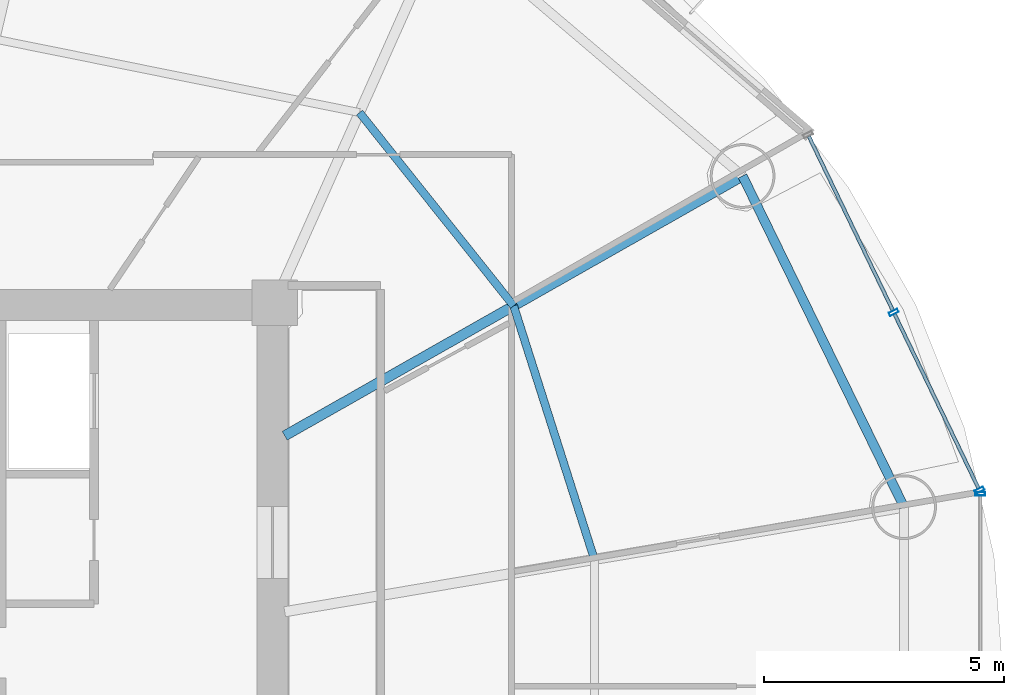
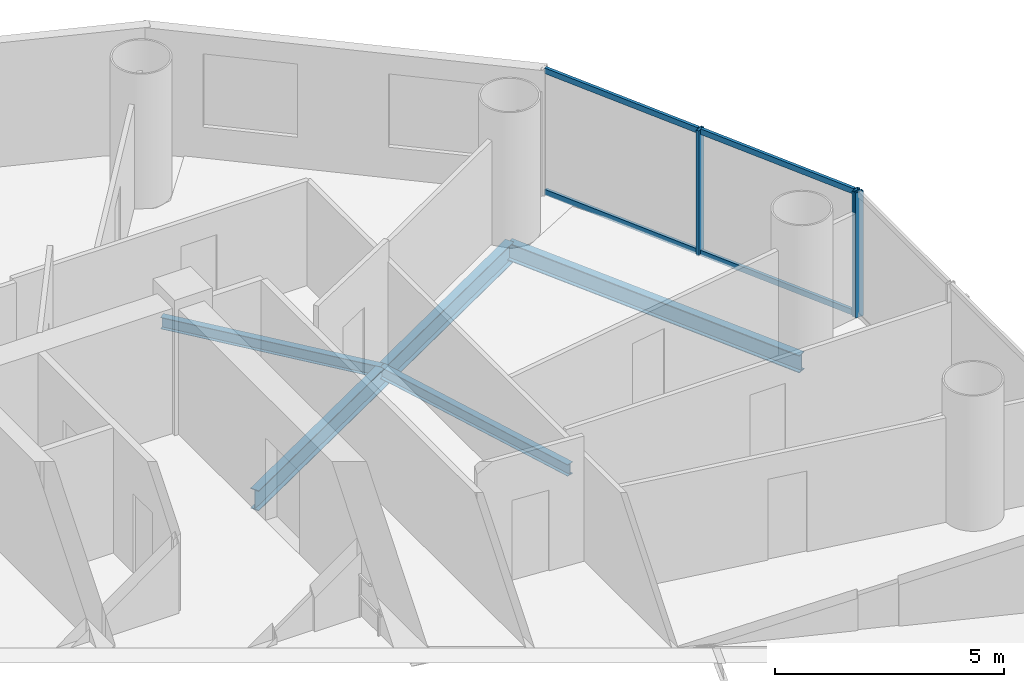
# One storey, part 12 of 26: 7 members, 4 beams, 2 elements without a shape of their own.
"""IFC4 building model written with IfcOpenShell, lengths in metres."""

from ifc_helpers import new_model, si_unit, direction, frame, origin, origin_2d, place, context, subcontext, project, spatial, hollow_rectangle, i_section, extrude, source, transform, mapped, material, material_profile, profile_set, type_object, element, aggregate, save


model = new_model("IFC4")

# Units and contexts
model_context = context("Model", 3, precision=1e-05, world=origin(), true_north=direction((-0.2419218956, 0.970295726276)))
body_context = subcontext(model_context, "Body", "Model", "MODEL_VIEW")
ifc_project = project(units=[si_unit("LENGTHUNIT", "METRE"), si_unit("AREAUNIT", "SQUARE_METRE"), si_unit("VOLUMEUNIT", "CUBIC_METRE"), si_unit("PLANEANGLEUNIT", "RADIAN"), si_unit("MASSUNIT", "GRAM", prefix="KILO")], contexts=[model_context])

# Site, building, storey
site_placement = place(None, origin())
site = spatial("IfcSite", under=ifc_project, at=site_placement, CompositionType="ELEMENT")
building_placement = place(site_placement, origin())
building = spatial("IfcBuilding", under=site, at=building_placement, Name="Cobrevalo Terracotta Tower", CompositionType="ELEMENT")
storey_placement = place(building_placement, frame((0.0, 0.0, 171.39990234375)))
storey = spatial("IfcBuildingStorey", under=building, at=storey_placement, Name="L45", CompositionType="ELEMENT", Elevation=171.39990234375)

# Beams
ifc_material_1 = material(Name="Steel S355", Category="steel")
ifc_material_profile_1 = material_profile(ifc_material_1, i_section(OverallWidth=0.2109375, OverallDepth=0.5390625, WebThickness=0.01171875, FlangeThickness=0.018798828125, at=origin_2d()), Name="W 530x109")
ifc_profile_set_1 = profile_set([ifc_material_profile_1], Name="Steel S355")
beam_type_1 = type_object("IfcBeamType", Name="Structural Beam W 530x109 (Steel S355)", PredefinedType="BEAM", material=ifc_profile_set_1)
beam_1_placement = place(storey_placement, frame((56.749755859375, 37.439208984375, -0.539306640625), z_axis=(-0.869734177783, -0.493520475762, 0.0), x_axis=(0.493520475762, -0.869734177783, 0.0)))
element("IfcBeam", 1, at=beam_1_placement, inside=storey, type_object=beam_type_1, Name="L45 radial floor girder 02", PredefinedType="BEAM", context=body_context, shape_type="SweptSolid", body=[
    extrude(i_section(OverallWidth=0.2109375, OverallDepth=0.5390625, WebThickness=0.01171875, FlangeThickness=0.018798828125, at=origin_2d()), origin(), (0.0, 0.0, 1.0), 10.974365234375),
])
ifc_material_profile_2 = material_profile(ifc_material_1, i_section(OverallWidth=0.1650390625, OverallDepth=0.31005859375, WebThickness=0.005859375, FlangeThickness=0.009765625, at=origin_2d()), Name="W 310x38.7")
ifc_profile_set_2 = profile_set([ifc_material_profile_2], Name="Steel S355")
beam_type_2 = type_object("IfcBeamType", Name="Structural Joist W 310x38.7 (Steel S355)", PredefinedType="JOIST", material=ifc_profile_set_2)
beam_2_placement = place(storey_placement, frame((53.660888671875, 29.445556640625, -0.4248046875), z_axis=(-0.303497928386, 0.952832098255, 0.0), x_axis=(-0.952832098255, -0.303497928386, 0.0)))
element("IfcBeam", 2, at=beam_2_placement, inside=storey, type_object=beam_type_2, Name="L45 circumferential secondary floor joist 01", PredefinedType="JOIST", context=body_context, shape_type="SweptSolid", body=[
    extrude(i_section(OverallWidth=0.1650390625, OverallDepth=0.31005859375, WebThickness=0.005859375, FlangeThickness=0.009765625, at=origin_2d()), origin(), (0.0, 0.0, 1.0), 5.54736328125),
])
beam_3_placement = place(storey_placement, frame((51.977294921875, 34.731201171875, -0.4248046875), z_axis=(-0.62340602772, 0.781898282773, 0.0), x_axis=(-0.781898282773, -0.62340602772, 0.0)))
element("IfcBeam", 3, at=beam_3_placement, inside=storey, type_object=beam_type_2, Name="L45 circumferential secondary floor joist 02", PredefinedType="JOIST", context=body_context, shape_type="SweptSolid", body=[
    extrude(i_section(OverallWidth=0.1650390625, OverallDepth=0.31005859375, WebThickness=0.005859375, FlangeThickness=0.009765625, at=origin_2d()), origin(), (0.0, 0.0, 1.0), 5.154052734375),
])
ifc_material_profile_3 = material_profile(ifc_material_1, i_section(OverallWidth=0.194091796875, OverallDepth=0.468994140625, WebThickness=0.011474609375, FlangeThickness=0.0205078125, at=origin_2d()), Name="W 460x106")
ifc_profile_set_3 = profile_set([ifc_material_profile_3], Name="Steel S355")
beam_type_3 = type_object("IfcBeamType", Name="Structural Spandrel W 460x106 (Steel S355)", PredefinedType="SPANDREL", material=ifc_profile_set_3)
beam_4_placement = place(storey_placement, frame((60.11669921875, 30.535888671875, -0.50439453125), z_axis=(-0.438367894028, 0.89879563277, 0.0), x_axis=(-0.89879563277, -0.438367894028, 0.0)))
element("IfcBeam", 4, at=beam_4_placement, inside=storey, type_object=beam_type_3, Name="L45 perimeter ring spandrel 01", PredefinedType="SPANDREL", context=body_context, shape_type="SweptSolid", body=[
    extrude(i_section(OverallWidth=0.194091796875, OverallDepth=0.468994140625, WebThickness=0.011474609375, FlangeThickness=0.0205078125, at=origin_2d()), origin(), (0.0, 0.0, 1.0), 7.6806640625),
])

# Curtain wall, members
ifc_material_2 = material(Name="Anodized aluminium", Category="aluminium")
curtain_wall_type = type_object("IfcCurtainWallType", Name="Mid-tower high-wind unitised curtain wall CW-U2", PredefinedType="NOTDEFINED", material=ifc_material_2)
curtain_wall_1_placement = place(storey_placement, origin())
curtain_wall_1 = element("IfcCurtainWall", 5, at=curtain_wall_1_placement, inside=storey, type_object=curtain_wall_type, Name="L45 curtain wall CW-L45-S01", PredefinedType="NOTDEFINED")
ifc_material_profile_4 = material_profile(ifc_material_2, hollow_rectangle(XDim=0.074951171875, YDim=0.199951171875, WallThickness=0.0048828125, at=origin_2d()), Name="CWM 75x200")
ifc_profile_set_4 = profile_set([ifc_material_profile_4], Name="Anodized aluminium")
member_type_1 = type_object("IfcMemberType", Name="Lower/mid tower unitised mullion 75x200", PredefinedType="MULLION", material=ifc_profile_set_4)
shared_shape_1 = source(origin(), body_context, "Body", "SweptSolid", [
    extrude(hollow_rectangle(XDim=0.074951171875, YDim=0.199951171875, WallThickness=0.0048828125, at=origin_2d()), origin(), (0.0, 0.0, 1.0), 3.330078125),
])
member_1_placement = place(storey_placement, frame((61.688232421875, 30.887939453125, 0.0), z_axis=(0.0, 0.0, 1.0), x_axis=(-0.434209440271, 0.900811945957, 0.0)))
member_1 = element("IfcMember", 6, at=member_1_placement, type_object=member_type_1, Name="CW-L45-S01 vertical mullion 01", PredefinedType="MULLION", context=body_context, shape_type="MappedRepresentation", body=[
    mapped(shared_shape_1, transform((0.0, 0.0, 0.0), scale=1.0)),
])
member_2_placement = place(storey_placement, frame((59.901123046875, 34.595703125, 0.0), z_axis=(0.0, 0.0, 1.0), x_axis=(-0.434209440271, 0.900811945957, 0.0)))
member_2 = element("IfcMember", 7, at=member_2_placement, type_object=member_type_1, Name="CW-L45-S01 vertical mullion 02", PredefinedType="MULLION", context=body_context, shape_type="MappedRepresentation", body=[
    mapped(shared_shape_1, transform((0.0, 0.0, 0.0), scale=1.0)),
])

# Curtain wall, member
curtain_wall_2_placement = place(storey_placement, origin())
curtain_wall_2 = element("IfcCurtainWall", 8, at=curtain_wall_2_placement, inside=storey, type_object=curtain_wall_type, Name="L45 curtain wall CW-L45-S16", PredefinedType="NOTDEFINED")
member_3_placement = place(storey_placement, frame((61.70556640625, 30.81201171875, 0.0), z_axis=(0.0, 0.0, 1.0), x_axis=(0.0, 1.0, 0.0)))
member_3 = element("IfcMember", 9, at=member_3_placement, type_object=member_type_1, Name="CW-L45-S16 vertical mullion 03", PredefinedType="MULLION", context=body_context, shape_type="MappedRepresentation", body=[
    mapped(shared_shape_1, transform((0.0, 0.0, 0.0), scale=1.0)),
])
aggregate(curtain_wall_2, [member_3])

# Member
ifc_material_profile_5 = material_profile(ifc_material_2, hollow_rectangle(XDim=0.074951171875, YDim=0.14990234375, WallThickness=0.00439453125, at=origin_2d()), Name="CWT 75x150")
ifc_profile_set_5 = profile_set([ifc_material_profile_5], Name="Anodized aluminium")
member_type_2 = type_object("IfcMemberType", Name="Tower unitised aluminium transom 75x150", PredefinedType="USERDEFINED", material=ifc_profile_set_5)
shared_shape_2 = source(origin(), body_context, "Body", "SweptSolid", [
    extrude(hollow_rectangle(XDim=0.074951171875, YDim=0.14990234375, WallThickness=0.00439453125, at=origin_2d()), origin(), (0.0, 0.0, 1.0), 4.035888671875),
])
member_4_placement = place(storey_placement, frame((61.6708984375, 30.924072265625, 0.050048828125), z_axis=(-0.434221176581, 0.900806288726, 0.0), x_axis=(-0.900806288726, -0.434221176581, 0.0)))
member_4 = element("IfcMember", 10, at=member_4_placement, type_object=member_type_2, Name="CW-L45-S01 transom B01-T1", ObjectType="TRANSOM", PredefinedType="USERDEFINED", context=body_context, shape_type="MappedRepresentation", body=[
    mapped(shared_shape_2, transform((0.0, 0.0, 0.0), scale=1.0)),
])

member_5_placement = place(storey_placement, frame((61.6708984375, 30.924072265625, 3.280029296875), z_axis=(-0.434221176581, 0.900806288726, 0.0), x_axis=(-0.900806288726, -0.434221176581, 0.0)))
member_5 = element("IfcMember", 11, at=member_5_placement, type_object=member_type_2, Name="CW-L45-S01 transom B01-T2", ObjectType="TRANSOM", PredefinedType="USERDEFINED", context=body_context, shape_type="MappedRepresentation", body=[
    mapped(shared_shape_2, transform((0.0, 0.0, 0.0), scale=1.0)),
])

member_6_placement = place(storey_placement, frame((59.8837890625, 34.631591796875, 0.050048828125), z_axis=(-0.434221176581, 0.900806288726, 0.0), x_axis=(-0.900806288726, -0.434221176581, 0.0)))
member_6 = element("IfcMember", 12, at=member_6_placement, type_object=member_type_2, Name="CW-L45-S01 transom B02-T1", ObjectType="TRANSOM", PredefinedType="USERDEFINED", context=body_context, shape_type="MappedRepresentation", body=[
    mapped(shared_shape_2, transform((0.0, 0.0, 0.0), scale=1.0)),
])

member_7_placement = place(storey_placement, frame((59.8837890625, 34.631591796875, 3.280029296875), z_axis=(-0.434221176581, 0.900806288726, 0.0), x_axis=(-0.900806288726, -0.434221176581, 0.0)))
member_7 = element("IfcMember", 13, at=member_7_placement, type_object=member_type_2, Name="CW-L45-S01 transom B02-T2", ObjectType="TRANSOM", PredefinedType="USERDEFINED", context=body_context, shape_type="MappedRepresentation", body=[
    mapped(shared_shape_2, transform((0.0, 0.0, 0.0), scale=1.0)),
])

aggregate(curtain_wall_1, [member_1, member_2, member_4, member_5, member_6, member_7])

save(model, "model.ifc")
